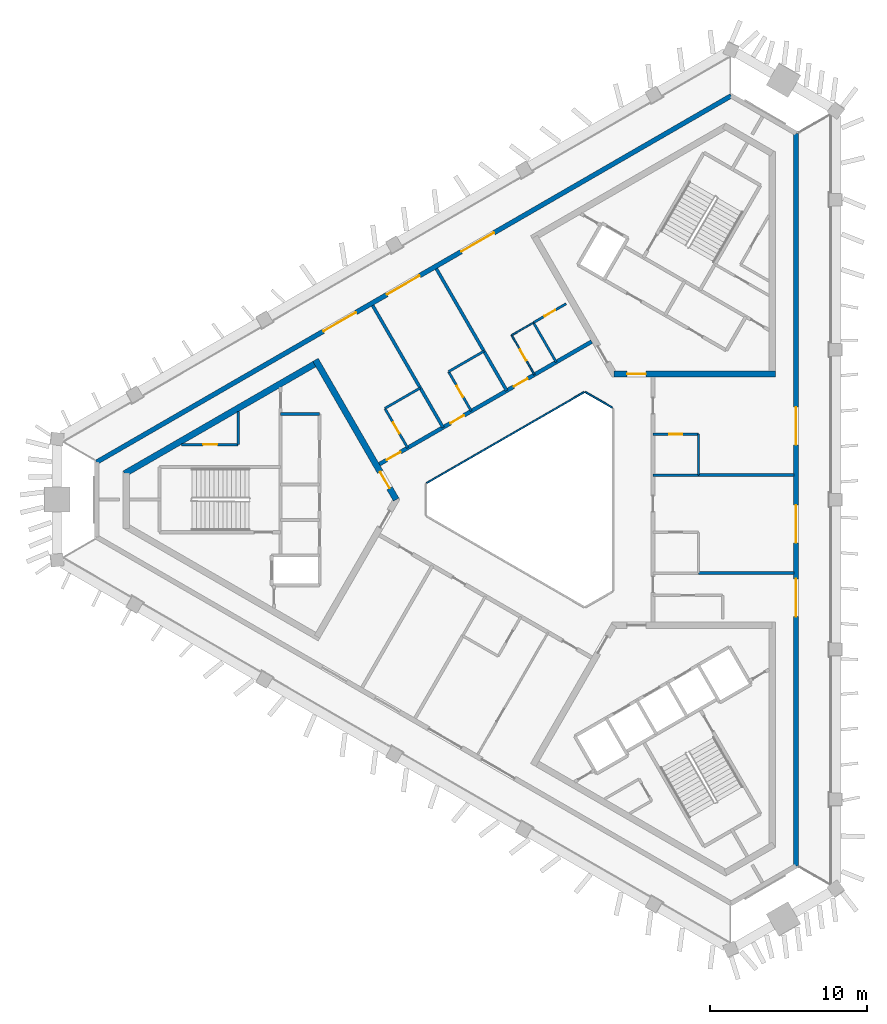
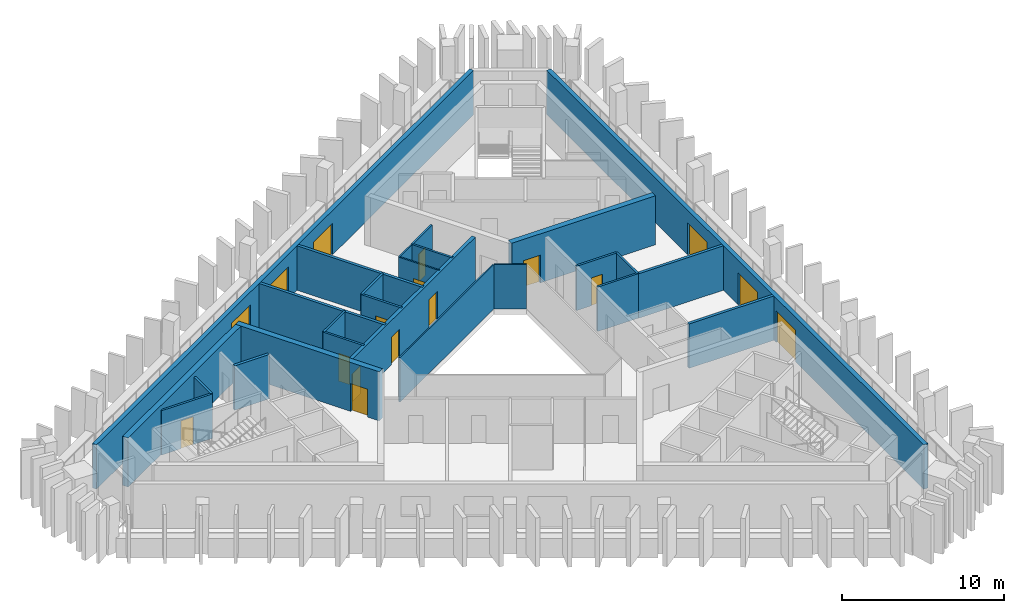
# One storey, part 4 of 8: 26 walls, 17 doors, 17 openings.
"""IFC4 building model written with IfcOpenShell, lengths in metres."""

import ifcopenshell
import ifcopenshell.guid

model = None  # the IFC model being written
_history = None  # IfcOwnerHistory: only IFC2X3 demands one
_inside = {}  # id of a spatial element -> (the spatial element, [elements in it])
_under = {}  # id of a project, library or spatial element -> (it, [spatial elements below it])
_declared = {}  # id of a project -> (the project, [libraries it declares])
_typed = {}  # id of a type object -> (the type object, [elements of that type])
_made_of = {}  # id of a material, layer set ... -> (it, [elements and type objects made of it])


def new_model(schema):
    """Start an empty IFC model of exactly this schema.

    Asked for "IFC4X3", IfcOpenShell would pick the latest addendum, in which some entities
    have other attributes; the version numbers below select the first issue.
    IFC2X3 requires an IfcOwnerHistory on every rooted entity: one is made here for all.
    """
    global model, _history
    if schema == "IFC4X3":
        model = ifcopenshell.file(schema_version=(4, 3, 0, 0))
    else:
        model = ifcopenshell.file(schema=schema)
    _inside.clear()
    _under.clear()
    _declared.clear()
    _typed.clear()
    _made_of.clear()
    _history = None
    if model.schema == "IFC2X3":
        org = make("IfcOrganization", Name="unknown")
        user = make(
            "IfcPersonAndOrganization",
            ThePerson=make("IfcPerson", FamilyName="unknown"),
            TheOrganization=org,
        )
        app = make(
            "IfcApplication",
            ApplicationDeveloper=org,
            Version="unknown",
            ApplicationFullName="unknown",
            ApplicationIdentifier="unknown",
        )
        _history = make(
            "IfcOwnerHistory",
            OwningUser=user,
            OwningApplication=app,
            ChangeAction="ADDED",
            CreationDate=0,
        )
    return model


def make(cls, **values):
    """One entity of the class cls with the attributes given. An attribute that is None is left unset."""
    return model.create_entity(
        cls, **{name: value for name, value in values.items() if value is not None}
    )


def rooted(cls, **values):
    """An entity with a GlobalId (a new one), such as an element, a storey or a relation."""
    return make(cls, GlobalId=ifcopenshell.guid.new(), OwnerHistory=_history, **values)


def si_unit(unit_type, name, prefix=None):
    """IfcSIUnit, for example si_unit("LENGTHUNIT", "METRE", prefix="MILLI")."""
    return make("IfcSIUnit", UnitType=unit_type, Prefix=prefix, Name=name)


def assignment(units):
    """IfcUnitAssignment: the units of a project."""
    return None if units is None else make("IfcUnitAssignment", Units=units)


def point(xyz):
    """IfcCartesianPoint."""
    return None if xyz is None else make("IfcCartesianPoint", Coordinates=xyz)


def direction(xyz):
    """IfcDirection."""
    return None if xyz is None else make("IfcDirection", DirectionRatios=xyz)


def frame(location, z_axis=None, x_axis=None):
    """IfcAxis2Placement3D, a coordinate frame: its origin and axes. An axis left out is left unset."""
    return make(
        "IfcAxis2Placement3D",
        Location=point(location),
        Axis=direction(z_axis),
        RefDirection=direction(x_axis),
    )


def frame_2d(location, x_axis=None):
    """IfcAxis2Placement2D, a coordinate frame in the plane: its origin and x axis."""
    return make(
        "IfcAxis2Placement2D", Location=point(location), RefDirection=direction(x_axis)
    )


def origin():
    """The frame at (0, 0, 0) with its axes left unset."""
    return frame((0.0, 0.0, 0.0))


def place(relative_to, where):
    """IfcLocalPlacement: puts the frame where relative to a parent placement (None: the world)."""
    return make(
        "IfcLocalPlacement", PlacementRelTo=relative_to, RelativePlacement=where
    )


def context(
    kind, dimensions, precision=None, world=None, true_north=None, identifier=None
):
    """IfcGeometricRepresentationContext, for example the 3D "Model" context."""
    return make(
        "IfcGeometricRepresentationContext",
        ContextIdentifier=identifier,
        ContextType=kind,
        CoordinateSpaceDimension=dimensions,
        Precision=precision,
        WorldCoordinateSystem=world,
        TrueNorth=true_north,
    )


def subcontext(parent, identifier, kind, view, scale=None):
    """IfcGeometricRepresentationSubContext, for example "Body" below "Model"."""
    return make(
        "IfcGeometricRepresentationSubContext",
        ContextIdentifier=identifier,
        ContextType=kind,
        ParentContext=parent,
        TargetScale=scale,
        TargetView=view,
    )


def project(units=None, contexts=None):
    """IfcProject with its units and contexts."""
    return rooted(
        "IfcProject",
        Name="project",
        RepresentationContexts=contexts,
        UnitsInContext=assignment(units),
    )


def spatial(cls, under=None, at=None, **own):
    """A site, building, storey or space (cls), placed at a placement, below another one or the project."""
    s = rooted(cls, ObjectPlacement=at, **own)
    if under is not None:
        _under.setdefault(under.id(), (under, []))[1].append(s)
    return s


def profile(cls, at=None, kind="AREA", **sizes):
    """A parametric profile (cls). Its sizes go by their IFC names, for example OverallWidth=200.0."""
    return make(cls, ProfileType=kind, Position=at, **sizes)


def rectangle(**sizes):
    """IfcRectangleProfileDef."""
    return profile("IfcRectangleProfileDef", **sizes)


def extrude(swept, where, along, depth):
    """IfcExtrudedAreaSolid: the profile swept, set in the frame where, extruded along a direction by depth."""
    return make(
        "IfcExtrudedAreaSolid",
        SweptArea=swept,
        Position=where,
        ExtrudedDirection=direction(along),
        Depth=depth,
    )


def shape(context_of_items, identifier, shape_type, items):
    """IfcShapeRepresentation: the items that make up one representation, for example the "Body"."""
    return make(
        "IfcShapeRepresentation",
        ContextOfItems=context_of_items,
        RepresentationIdentifier=identifier,
        RepresentationType=shape_type,
        Items=items,
    )


def material(Name=None, Category=None):
    """IfcMaterial."""
    return make("IfcMaterial", Name=Name, Category=Category)


def layer(
    of_material, thickness, ventilated=None, Name=None, Category=None, Priority=None
):
    """IfcMaterialLayer: one layer of a wall or slab, of a material (None: an air gap)."""
    return make(
        "IfcMaterialLayer",
        Material=of_material,
        LayerThickness=thickness,
        IsVentilated=ventilated,
        Name=Name,
        Category=Category,
        Priority=Priority,
    )


def layer_set(layers, Name=None):
    """IfcMaterialLayerSet."""
    return make("IfcMaterialLayerSet", MaterialLayers=layers, LayerSetName=Name)


def made_of(thing, what):
    """Note that an element or type object is made of a material, layer set ...; save() writes the relation."""
    if what is not None:
        _made_of.setdefault(what.id(), (what, []))[1].append(thing)
    return thing


def type_object(cls, material=None, **own):
    """A type object (cls), such as IfcWallType, which elements share."""
    return made_of(rooted(cls, **own), material)


def element(
    cls,
    number,
    at=None,
    inside=None,
    cuts=None,
    type_object=None,
    material=None,
    context=None,
    identifier="Body",
    shape_type=None,
    held_by="IfcProductDefinitionShape",
    body=None,
    shapes=None,
    **own,
):
    """One element of the class cls, such as IfcWall. Its Tag is "e" and its number.

    at: its placement. inside: the storey or other place that contains it. cuts: it is an
    opening in that element (IfcRelVoidsElement). A single representation is given by context,
    identifier, shape_type and body (its items); several are given by shapes. held_by: the class
    of the entity that holds the representations. save() writes the other relations.
    """
    e = rooted(cls, Tag="e%d" % number, ObjectPlacement=at, **own)
    if body is not None:
        shapes = [shape(context, identifier, shape_type, body)]
    if shapes is not None:
        e.Representation = make(held_by, Representations=shapes)
    if inside is not None:
        _inside.setdefault(inside.id(), (inside, []))[1].append(e)
    if cuts is not None:
        rooted(
            "IfcRelVoidsElement", RelatingBuildingElement=cuts, RelatedOpeningElement=e
        )
    if type_object is not None:
        _typed.setdefault(type_object.id(), (type_object, []))[1].append(e)
    return made_of(e, material)


def fill(opening, filler):
    """IfcRelFillsElement: the door or window that sits in an opening."""
    return rooted(
        "IfcRelFillsElement",
        RelatingOpeningElement=opening,
        RelatedBuildingElement=filler,
    )


def aggregate(whole, parts):
    """IfcRelAggregates: a whole, such as a stair, and the parts it consists of."""
    return rooted("IfcRelAggregates", RelatingObject=whole, RelatedObjects=parts)


def save(model, path):
    """Write the relations noted so far, then the file.

    IfcRelAggregates (storeys below a building ...), IfcRelContainedInSpatialStructure (elements
    in a storey), IfcRelDefinesByType, IfcRelAssociatesMaterial and IfcRelDeclares: one each for
    every whole, place, type object, material and project.
    """
    for whole, parts in _under.values():
        aggregate(whole, parts)
    for where, things in _inside.values():
        rooted(
            "IfcRelContainedInSpatialStructure",
            RelatedElements=things,
            RelatingStructure=where,
        )
    for kind, things in _typed.values():
        rooted("IfcRelDefinesByType", RelatedObjects=things, RelatingType=kind)
    for what, things in _made_of.values():
        rooted("IfcRelAssociatesMaterial", RelatedObjects=things, RelatingMaterial=what)
    for by, libraries in _declared.values():
        rooted("IfcRelDeclares", RelatingContext=by, RelatedDefinitions=libraries)
    model.write(path)


model = new_model("IFC4")

# Units and contexts
model_context = context("Model", 3, precision=1e-05, world=origin(), true_north=direction((0.0, 1.0)))
body_context = subcontext(model_context, "Body", "Model", "MODEL_VIEW")
ifc_project = project(units=[si_unit("LENGTHUNIT", "METRE"), si_unit("AREAUNIT", "SQUARE_METRE"), si_unit("VOLUMEUNIT", "CUBIC_METRE"), si_unit("PLANEANGLEUNIT", "RADIAN"), si_unit("MASSUNIT", "GRAM", prefix="KILO")], contexts=[model_context])

# Site, building, storey
site_placement = place(None, origin())
site = spatial("IfcSite", under=ifc_project, at=site_placement, CompositionType="ELEMENT")
building_placement = place(site_placement, origin())
building = spatial("IfcBuilding", under=site, at=building_placement, Name="Jabali Bay Hotel Tower and Convention Centre", CompositionType="ELEMENT")
storey_placement = place(building_placement, frame((0.0, 0.0, 292.300048828125)))
storey = spatial("IfcBuildingStorey", under=building, at=storey_placement, Name="L72", CompositionType="ELEMENT", Elevation=292.300048828125)

# Walls
ifc_material_1 = material(Name="Fire-resistant glazing", Category="glass")
ifc_layer_1 = layer(ifc_material_1, 0.10009765625)
ifc_layer_set_1 = layer_set([ifc_layer_1], Name="Fire-resistant glazing")
wall_type_1 = type_object("IfcWallType", Name="Atrium glazed screen 100", PredefinedType="PARTITIONING", material=ifc_layer_set_1)
wall_1_placement = place(storey_placement, frame((79.530029296875, 85.84619140625, 0.0), z_axis=(0.0, 0.0, 1.0), x_axis=(-0.866041268327, 0.499972520799, 0.0)))
element("IfcWall", 1, at=wall_1_placement, inside=storey, type_object=wall_type_1, Name="Atrium screen 2 L72", PredefinedType="PARTITIONING", context=body_context, shape_type="SweptSolid", body=[
    extrude(rectangle(XDim=2.0, YDim=0.10009765625, at=frame_2d((1.0, 0.0))), origin(), (0.0, 0.0, 1.0), 3.349853515625),
])
wall_2_placement = place(storey_placement, frame((77.738037109375, 86.84619140625, 0.0), z_axis=(0.0, 0.0, 1.0), x_axis=(-0.866026658274, -0.499997827154, 0.0)))
element("IfcWall", 2, at=wall_2_placement, inside=storey, type_object=wall_type_1, Name="Atrium screen 3 L72", PredefinedType="PARTITIONING", context=body_context, shape_type="SweptSolid", body=[
    extrude(rectangle(XDim=11.58837890625, YDim=0.10009765625, at=frame_2d((5.794189453125, 0.0))), origin(), (0.0, 0.0, 1.0), 3.349853515625),
])

# Wall, opening, door
ifc_material_2 = material(Name="Fire-rated board partition")
ifc_layer_2 = layer(ifc_material_2, 0.14990234375)
ifc_layer_set_2 = layer_set([ifc_layer_2], Name="Fire-rated board partition")
wall_type_2 = type_object("IfcWallType", Name="Core room partition 150", PredefinedType="PARTITIONING", material=ifc_layer_set_2)
wall_3_placement = place(storey_placement, frame((55.719970703125, 83.5, 0.0), z_axis=(0.0, 0.0, 1.0), x_axis=(-1.0, 0.0, 0.0)))
wall_3 = element("IfcWall", 3, at=wall_3_placement, inside=storey, type_object=wall_type_2, Name="Core wall 0.1 L72", PredefinedType="PARTITIONING", context=body_context, shape_type="SweptSolid", body=[
    extrude(rectangle(XDim=3.61767578125, YDim=0.14990234375, at=frame_2d((1.808837890625, 0.0))), origin(), (0.0, 0.0, 1.0), 3.349853515625),
])
opening_1_placement = place(wall_3_placement, frame((1.33154296875, 0.0, 0.0)))
opening_1 = element("IfcOpeningElement", 4, at=opening_1_placement, cuts=wall_3, Name="Opening D1597", PredefinedType="OPENING", context=body_context, shape_type="SweptSolid", body=[
    extrude(rectangle(XDim=0.89990234375, YDim=2.10009765625, at=frame_2d((0.449951171875, 1.050048828125))), frame((0.0, 0.08544921875, 0.0), z_axis=(0.0, -1.0, 0.0), x_axis=(1.0, 0.0, 0.0)), (0.0, 0.0, 1.0), 0.1708984375),
])
ifc_material_3 = material(Name="Fire-rated steel door", Category="steel")
door_type_1 = type_object("IfcDoorType", Name="Core room door 900 x 2100", OperationType="NOTDEFINED", PredefinedType="NOTDEFINED", material=ifc_material_3)
door_1_placement = place(opening_1_placement, origin())
door_1 = element("IfcDoor", 5, at=door_1_placement, inside=storey, type_object=door_type_1, Name="Core room door D1597", OperationType="SINGLE_SWING_LEFT", OverallHeight=2.10009765625, OverallWidth=0.89990234375, PredefinedType="NOTDEFINED", context=body_context, shape_type="SweptSolid", body=[
    extrude(rectangle(XDim=0.89990234375, YDim=2.10009765625, at=frame_2d((0.449951171875, 1.050048828125))), frame((0.0, 0.02490234375, 0.0), z_axis=(0.0, -1.0, 0.0), x_axis=(1.0, 0.0, 0.0)), (0.0, 0.0, 1.0), 0.050048828125),
])
fill(opening_1, door_1)

# Walls
wall_4_placement = place(storey_placement, frame((55.719970703125, 85.5888671875, 0.0), z_axis=(0.0, 0.0, 1.0), x_axis=(0.0, -1.0, 0.0)))
element("IfcWall", 6, at=wall_4_placement, inside=storey, type_object=wall_type_2, Name="Core wall 0.13 L72", PredefinedType="PARTITIONING", context=body_context, shape_type="SweptSolid", body=[
    extrude(rectangle(XDim=2.0888671875, YDim=0.14990234375, at=frame_2d((1.04443359375, 0.0))), origin(), (0.0, 0.0, 1.0), 3.349853515625),
])
ifc_material_4 = material(Name="Concrete C40", Category="concrete")
ifc_layer_3 = layer(ifc_material_4, 0.199951171875)
ifc_layer_set_3 = layer_set([ifc_layer_3], Name="Concrete C40")
wall_type_3 = type_object("IfcWallType", Name="Core stair wall 200", PredefinedType="SOLIDWALL", material=ifc_layer_set_3)
wall_5_placement = place(storey_placement, frame((60.89990234375, 85.449951171875, 0.0), z_axis=(0.0, 0.0, 1.0), x_axis=(-1.0, 0.0, 0.0)))
element("IfcWall", 7, at=wall_5_placement, inside=storey, type_object=wall_type_3, Name="Core wall 0.0 L72", PredefinedType="SOLIDWALL", context=body_context, shape_type="SweptSolid", body=[
    extrude(rectangle(XDim=2.47998046875, YDim=0.199951171875, at=frame_2d((1.239990234375, 0.0))), origin(), (0.0, 0.0, 1.0), 3.349853515625),
])

# Wall, opening, door
ifc_material_5 = material(Name="Concrete C60", Category="concrete")
ifc_layer_4 = layer(ifc_material_5, 0.39990234375)
ifc_layer_set_4 = layer_set([ifc_layer_4], Name="Concrete C60")
wall_type_4 = type_object("IfcWallType", Name="Core wall 400", PredefinedType="SHEAR", material=ifc_layer_set_4)
wall_6_placement = place(storey_placement, frame((65.76904296875, 80.0, 0.0), z_axis=(0.0, 0.0, 1.0), x_axis=(-0.50000177223, 0.866024380585, 0.0)))
wall_6 = element("IfcWall", 8, at=wall_6_placement, inside=storey, type_object=wall_type_4, Name="Core wall 1.1 L72", PredefinedType="SHEAR", context=body_context, shape_type="SweptSolid", body=[
    extrude(rectangle(XDim=10.2646484375, YDim=0.39990234375, at=frame_2d((5.13232421875, 0.0))), origin(), (0.0, 0.0, 1.0), 3.699951171875),
])
opening_2_placement = place(wall_6_placement, frame((0.83447265625, 0.0, 0.0)))
opening_2 = element("IfcOpeningElement", 9, at=opening_2_placement, cuts=wall_6, Name="Opening D1589", PredefinedType="OPENING", context=body_context, shape_type="SweptSolid", body=[
    extrude(rectangle(XDim=1.199951171875, YDim=2.10009765625, at=frame_2d((0.60009765625, 1.050048828125))), frame((0.0, 0.21044921875, 0.0), z_axis=(0.0, -1.0, 0.0), x_axis=(1.0, 0.0, 0.0)), (0.0, 0.0, 1.0), 0.4208984375),
])
door_type_2 = type_object("IfcDoorType", Name="Corridor end fire door 1200 x 2100", OperationType="NOTDEFINED", PredefinedType="NOTDEFINED", material=ifc_material_3)
door_2_placement = place(opening_2_placement, origin())
door_2 = element("IfcDoor", 10, at=door_2_placement, inside=storey, type_object=door_type_2, Name="Corridor end fire door D1589", OperationType="SINGLE_SWING_RIGHT", OverallHeight=2.10009765625, OverallWidth=1.199951171875, PredefinedType="NOTDEFINED", context=body_context, shape_type="SweptSolid", body=[
    extrude(rectangle(XDim=1.199951171875, YDim=2.10009765625, at=frame_2d((0.60009765625, 1.050048828125))), frame((0.0, 0.02490234375, 0.0), z_axis=(0.0, -1.0, 0.0), x_axis=(1.0, 0.0, 0.0)), (0.0, 0.0, 1.0), 0.050048828125),
])
fill(opening_2, door_2)

# Wall
wall_7_placement = place(storey_placement, frame((60.73681640625, 88.716064453125, 0.0), z_axis=(0.0, 0.0, 1.0), x_axis=(-0.866028812667, -0.499994095595, 0.0)))
element("IfcWall", 11, at=wall_7_placement, inside=storey, type_object=wall_type_4, Name="Core wall 1.2 L72", PredefinedType="SHEAR", context=body_context, shape_type="SweptSolid", body=[
    extrude(rectangle(XDim=14.133544921875, YDim=0.39990234375, at=frame_2d((7.06689453125, 0.0))), origin(), (0.0, 0.0, 1.0), 3.699951171875),
])

# Wall, opening, door
wall_8_placement = place(storey_placement, frame((79.615478515625, 87.994140625, 0.0), z_axis=(0.0, 0.0, 1.0), x_axis=(1.0, 0.0, 0.0)))
wall_8 = element("IfcWall", 12, at=wall_8_placement, inside=storey, type_object=wall_type_4, Name="Core wall 2.1 L72", PredefinedType="SHEAR", context=body_context, shape_type="SweptSolid", body=[
    extrude(rectangle(XDim=10.264404296875, YDim=0.39990234375, at=frame_2d((5.13232421875, 0.0))), origin(), (0.0, 0.0, 1.0), 3.699951171875),
])
opening_3_placement = place(wall_8_placement, frame((0.83447265625, 0.0, 0.0)))
opening_3 = element("IfcOpeningElement", 13, at=opening_3_placement, cuts=wall_8, Name="Opening D1598", PredefinedType="OPENING", context=body_context, shape_type="SweptSolid", body=[
    extrude(rectangle(XDim=1.199951171875, YDim=2.10009765625, at=frame_2d((0.60009765625, 1.050048828125))), frame((0.0, 0.21044921875, 0.0), z_axis=(0.0, -1.0, 0.0), x_axis=(1.0, 0.0, 0.0)), (0.0, 0.0, 1.0), 0.4208984375),
])
door_3_placement = place(opening_3_placement, origin())
door_3 = element("IfcDoor", 14, at=door_3_placement, inside=storey, type_object=door_type_2, Name="Corridor end fire door D1598", OperationType="SINGLE_SWING_RIGHT", OverallHeight=2.10009765625, OverallWidth=1.199951171875, PredefinedType="NOTDEFINED", context=body_context, shape_type="SweptSolid", body=[
    extrude(rectangle(XDim=1.199951171875, YDim=2.10009765625, at=frame_2d((0.60009765625, 1.050048828125))), frame((0.0, 0.02490234375, 0.0), z_axis=(0.0, -1.0, 0.0), x_axis=(1.0, 0.0, 0.0)), (0.0, 0.0, 1.0), 0.050048828125),
])
fill(opening_3, door_3)

# Wall, openings, doors
ifc_layer_5 = layer(ifc_material_5, 0.25)
ifc_layer_set_5 = layer_set([ifc_layer_5], Name="Concrete C60")
wall_type_5 = type_object("IfcWallType", Name="Corridor wall 250", PredefinedType="SHEAR", material=ifc_layer_set_5)
wall_9_placement = place(storey_placement, frame((78.199951171875, 90.0458984375, 0.0), z_axis=(0.0, 0.0, 1.0), x_axis=(-0.866026492143, -0.499998114903, 0.0)))
wall_9 = element("IfcWall", 15, at=wall_9_placement, inside=storey, type_object=wall_type_5, Name="Corridor wall 2 L72", PredefinedType="SHEAR", context=body_context, shape_type="SweptSolid", body=[
    extrude(rectangle(XDim=15.58837890625, YDim=0.25, at=frame_2d((7.794189453125, 0.0))), origin(), (0.0, 0.0, 1.0), 3.349853515625),
])
opening_4_placement = place(wall_9_placement, frame((4.7177734375, 0.0, 0.0)))
opening_4 = element("IfcOpeningElement", 16, at=opening_4_placement, cuts=wall_9, Name="Opening 7209", PredefinedType="OPENING", context=body_context, shape_type="SweptSolid", body=[
    extrude(rectangle(XDim=1.0, YDim=2.10009765625, at=frame_2d((0.5, 1.050048828125))), frame((0.0, 0.135498046875, 0.0), z_axis=(0.0, -1.0, 0.0), x_axis=(1.0, 0.0, 0.0)), (0.0, 0.0, 1.0), 0.27099609375),
])
opening_5_placement = place(wall_9_placement, frame((9.373779296875, 0.0, 0.0)))
opening_5 = element("IfcOpeningElement", 17, at=opening_5_placement, cuts=wall_9, Name="Opening 7211", PredefinedType="OPENING", context=body_context, shape_type="SweptSolid", body=[
    extrude(rectangle(XDim=1.0, YDim=2.10009765625, at=frame_2d((0.5, 1.050048828125))), frame((0.0, 0.135498046875, 0.0), z_axis=(0.0, -1.0, 0.0), x_axis=(1.0, 0.0, 0.0)), (0.0, 0.0, 1.0), 0.27099609375),
])
opening_6_placement = place(wall_9_placement, frame((14.05029296875, 0.0, 0.0)))
opening_6 = element("IfcOpeningElement", 18, at=opening_6_placement, cuts=wall_9, Name="Opening 7213", PredefinedType="OPENING", context=body_context, shape_type="SweptSolid", body=[
    extrude(rectangle(XDim=1.0, YDim=2.10009765625, at=frame_2d((0.5, 1.050048828125))), frame((0.0, 0.135498046875, 0.0), z_axis=(0.0, -1.0, 0.0), x_axis=(1.0, 0.0, 0.0)), (0.0, 0.0, 1.0), 0.27099609375),
])
ifc_material_6 = material(Name="Timber", Category="wood")
door_type_3 = type_object("IfcDoorType", Name="Guest room door 1000 x 2100", OperationType="NOTDEFINED", PredefinedType="NOTDEFINED", material=ifc_material_6)
door_4_placement = place(opening_4_placement, origin())
door_4 = element("IfcDoor", 19, at=door_4_placement, inside=storey, type_object=door_type_3, Name="Door 7209", OperationType="SINGLE_SWING_LEFT", OverallHeight=2.10009765625, OverallWidth=1.0, PredefinedType="NOTDEFINED", context=body_context, shape_type="SweptSolid", body=[
    extrude(rectangle(XDim=1.0, YDim=2.10009765625, at=frame_2d((0.5, 1.050048828125))), frame((0.0, 0.02490234375, 0.0), z_axis=(0.0, -1.0, 0.0), x_axis=(1.0, 0.0, 0.0)), (0.0, 0.0, 1.0), 0.050048828125),
])
fill(opening_4, door_4)
door_5_placement = place(opening_5_placement, origin())
door_5 = element("IfcDoor", 20, at=door_5_placement, inside=storey, type_object=door_type_3, Name="Door 7211", OperationType="SINGLE_SWING_RIGHT", OverallHeight=2.10009765625, OverallWidth=1.0, PredefinedType="NOTDEFINED", context=body_context, shape_type="SweptSolid", body=[
    extrude(rectangle(XDim=1.0, YDim=2.10009765625, at=frame_2d((0.5, 1.050048828125))), frame((0.0, 0.02490234375, 0.0), z_axis=(0.0, -1.0, 0.0), x_axis=(1.0, 0.0, 0.0)), (0.0, 0.0, 1.0), 0.050048828125),
])
fill(opening_5, door_5)
door_6_placement = place(opening_6_placement, origin())
door_6 = element("IfcDoor", 21, at=door_6_placement, inside=storey, type_object=door_type_3, Name="Door 7213", OperationType="SINGLE_SWING_RIGHT", OverallHeight=2.10009765625, OverallWidth=1.0, PredefinedType="NOTDEFINED", context=body_context, shape_type="SweptSolid", body=[
    extrude(rectangle(XDim=1.0, YDim=2.10009765625, at=frame_2d((0.5, 1.050048828125))), frame((0.0, 0.02490234375, 0.0), z_axis=(0.0, -1.0, 0.0), x_axis=(1.0, 0.0, 0.0)), (0.0, 0.0, 1.0), 0.050048828125),
])
fill(opening_6, door_6)

ifc_layer_6 = layer(ifc_material_4, 0.300048828125)
ifc_layer_set_6 = layer_set([ifc_layer_6], Name="Concrete C40")
wall_type_6 = type_object("IfcWallType", Name="External wall 300", PredefinedType="SOLIDWALL", material=ifc_layer_set_6)
wall_10_placement = place(storey_placement, frame((91.204345703125, 103.30029296875, 0.0), z_axis=(0.0, 0.0, 1.0), x_axis=(0.0, -1.0, 0.0)))
wall_10 = element("IfcWall", 22, at=wall_10_placement, inside=storey, type_object=wall_type_6, Name="External wall east face L72", PredefinedType="SOLIDWALL", context=body_context, shape_type="SweptSolid", body=[
    extrude(rectangle(XDim=46.6005859375, YDim=0.300048828125, at=frame_2d((23.30029296875, 0.0))), origin(), (0.0, 0.0, 1.0), 3.349853515625),
])
opening_7_placement = place(wall_10_placement, frame((17.423828125, 0.0, 0.0)))
opening_7 = element("IfcOpeningElement", 23, at=opening_7_placement, cuts=wall_10, Name="Opening SD1", PredefinedType="OPENING", context=body_context, shape_type="SweptSolid", body=[
    extrude(rectangle(XDim=2.39990234375, YDim=2.39990234375, at=frame_2d((1.199951171875, 1.199951171875))), frame((0.0, 0.16064453125, 0.0), z_axis=(0.0, -1.0, 0.0), x_axis=(1.0, 0.0, 0.0)), (0.0, 0.0, 1.0), 0.321044921875),
])
opening_8_placement = place(wall_10_placement, frame((28.335693359375, 0.0, 0.0)))
opening_8 = element("IfcOpeningElement", 24, at=opening_8_placement, cuts=wall_10, Name="Opening SD1", PredefinedType="OPENING", context=body_context, shape_type="SweptSolid", body=[
    extrude(rectangle(XDim=2.39990234375, YDim=2.39990234375, at=frame_2d((1.199951171875, 1.199951171875))), frame((0.0, 0.16064453125, 0.0), z_axis=(0.0, -1.0, 0.0), x_axis=(1.0, 0.0, 0.0)), (0.0, 0.0, 1.0), 0.321044921875),
])
opening_9_placement = place(wall_10_placement, frame((23.6591796875, 0.0, 0.0)))
opening_9 = element("IfcOpeningElement", 25, at=opening_9_placement, cuts=wall_10, Name="Opening SD1", PredefinedType="OPENING", context=body_context, shape_type="SweptSolid", body=[
    extrude(rectangle(XDim=2.39990234375, YDim=2.39990234375, at=frame_2d((1.199951171875, 1.199951171875))), frame((0.0, 0.16064453125, 0.0), z_axis=(0.0, -1.0, 0.0), x_axis=(1.0, 0.0, 0.0)), (0.0, 0.0, 1.0), 0.321044921875),
])
ifc_material_7 = material(Name="Glass", Category="glass")
door_type_4 = type_object("IfcDoorType", Name="Loggia sliding door 2400 x 2400", OperationType="NOTDEFINED", PredefinedType="NOTDEFINED", material=ifc_material_7)
door_7_placement = place(opening_7_placement, origin())
door_7 = element("IfcDoor", 26, at=door_7_placement, inside=storey, type_object=door_type_4, Name="Loggia sliding door 7203", OperationType="SLIDING_TO_LEFT", OverallHeight=2.39990234375, OverallWidth=2.39990234375, PredefinedType="NOTDEFINED", context=body_context, shape_type="SweptSolid", body=[
    extrude(rectangle(XDim=2.39990234375, YDim=2.39990234375, at=frame_2d((1.199951171875, 1.199951171875))), frame((0.0, 0.02490234375, 0.0), z_axis=(0.0, -1.0, 0.0), x_axis=(1.0, 0.0, 0.0)), (0.0, 0.0, 1.0), 0.050048828125),
])
fill(opening_7, door_7)
door_8_placement = place(opening_8_placement, origin())
door_8 = element("IfcDoor", 27, at=door_8_placement, inside=storey, type_object=door_type_4, Name="Loggia sliding door 7201", OperationType="SLIDING_TO_RIGHT", OverallHeight=2.39990234375, OverallWidth=2.39990234375, PredefinedType="NOTDEFINED", context=body_context, shape_type="SweptSolid", body=[
    extrude(rectangle(XDim=2.39990234375, YDim=2.39990234375, at=frame_2d((1.199951171875, 1.199951171875))), frame((0.0, 0.02490234375, 0.0), z_axis=(0.0, -1.0, 0.0), x_axis=(1.0, 0.0, 0.0)), (0.0, 0.0, 1.0), 0.050048828125),
])
fill(opening_8, door_8)
door_9_placement = place(opening_9_placement, origin())
door_9 = element("IfcDoor", 28, at=door_9_placement, inside=storey, type_object=door_type_4, Name="Loggia sliding door 7202", OperationType="SLIDING_TO_LEFT", OverallHeight=2.39990234375, OverallWidth=2.39990234375, PredefinedType="NOTDEFINED", context=body_context, shape_type="SweptSolid", body=[
    extrude(rectangle(XDim=2.39990234375, YDim=2.39990234375, at=frame_2d((1.199951171875, 1.199951171875))), frame((0.0, 0.02490234375, 0.0), z_axis=(0.0, -1.0, 0.0), x_axis=(1.0, 0.0, 0.0)), (0.0, 0.0, 1.0), 0.050048828125),
])
fill(opening_9, door_9)

wall_11_placement = place(storey_placement, frame((46.718994140625, 82.38330078125, 0.0), z_axis=(0.0, 0.0, 1.0), x_axis=(0.866026104534, 0.499998786264, 0.0)))
wall_11 = element("IfcWall", 29, at=wall_11_placement, inside=storey, type_object=wall_type_6, Name="External wall north-west face L72", PredefinedType="SOLIDWALL", context=body_context, shape_type="SweptSolid", body=[
    extrude(rectangle(XDim=46.6005859375, YDim=0.300048828125, at=frame_2d((23.30029296875, 0.0))), origin(), (0.0, 0.0, 1.0), 3.349853515625),
])
opening_10_placement = place(wall_11_placement, frame((16.644287109375, 0.0, 0.0)))
opening_10 = element("IfcOpeningElement", 30, at=opening_10_placement, cuts=wall_11, Name="Opening SD1", PredefinedType="OPENING", context=body_context, shape_type="SweptSolid", body=[
    extrude(rectangle(XDim=2.39990234375, YDim=2.39990234375, at=frame_2d((1.199951171875, 1.199951171875))), frame((0.0, 0.16064453125, 0.0), z_axis=(0.0, -1.0, 0.0), x_axis=(1.0, 0.0, 0.0)), (0.0, 0.0, 1.0), 0.321044921875),
])
opening_11_placement = place(wall_11_placement, frame((26.77685546875, 0.0, 0.0)))
opening_11 = element("IfcOpeningElement", 31, at=opening_11_placement, cuts=wall_11, Name="Opening SD1", PredefinedType="OPENING", context=body_context, shape_type="SweptSolid", body=[
    extrude(rectangle(XDim=2.39990234375, YDim=2.39990234375, at=frame_2d((1.199951171875, 1.199951171875))), frame((0.0, 0.16064453125, 0.0), z_axis=(0.0, -1.0, 0.0), x_axis=(1.0, 0.0, 0.0)), (0.0, 0.0, 1.0), 0.321044921875),
])
opening_12_placement = place(wall_11_placement, frame((21.321044921875, 0.0, 0.0)))
opening_12 = element("IfcOpeningElement", 32, at=opening_12_placement, cuts=wall_11, Name="Opening SD1", PredefinedType="OPENING", context=body_context, shape_type="SweptSolid", body=[
    extrude(rectangle(XDim=2.39990234375, YDim=2.39990234375, at=frame_2d((1.199951171875, 1.199951171875))), frame((0.0, 0.16064453125, 0.0), z_axis=(0.0, -1.0, 0.0), x_axis=(1.0, 0.0, 0.0)), (0.0, 0.0, 1.0), 0.321044921875),
])
door_10_placement = place(opening_10_placement, origin())
door_10 = element("IfcDoor", 33, at=door_10_placement, inside=storey, type_object=door_type_4, Name="Loggia sliding door 7206", OperationType="SLIDING_TO_LEFT", OverallHeight=2.39990234375, OverallWidth=2.39990234375, PredefinedType="NOTDEFINED", context=body_context, shape_type="SweptSolid", body=[
    extrude(rectangle(XDim=2.39990234375, YDim=2.39990234375, at=frame_2d((1.199951171875, 1.199951171875))), frame((0.0, 0.02490234375, 0.0), z_axis=(0.0, -1.0, 0.0), x_axis=(1.0, 0.0, 0.0)), (0.0, 0.0, 1.0), 0.050048828125),
])
fill(opening_10, door_10)
door_11_placement = place(opening_11_placement, origin())
door_11 = element("IfcDoor", 34, at=door_11_placement, inside=storey, type_object=door_type_4, Name="Loggia sliding door 7204", OperationType="SLIDING_TO_RIGHT", OverallHeight=2.39990234375, OverallWidth=2.39990234375, PredefinedType="NOTDEFINED", context=body_context, shape_type="SweptSolid", body=[
    extrude(rectangle(XDim=2.39990234375, YDim=2.39990234375, at=frame_2d((1.199951171875, 1.199951171875))), frame((0.0, 0.02490234375, 0.0), z_axis=(0.0, -1.0, 0.0), x_axis=(1.0, 0.0, 0.0)), (0.0, 0.0, 1.0), 0.050048828125),
])
fill(opening_11, door_11)
door_12_placement = place(opening_12_placement, origin())
door_12 = element("IfcDoor", 35, at=door_12_placement, inside=storey, type_object=door_type_4, Name="Loggia sliding door 7205", OperationType="SLIDING_TO_LEFT", OverallHeight=2.39990234375, OverallWidth=2.39990234375, PredefinedType="NOTDEFINED", context=body_context, shape_type="SweptSolid", body=[
    extrude(rectangle(XDim=2.39990234375, YDim=2.39990234375, at=frame_2d((1.199951171875, 1.199951171875))), frame((0.0, 0.02490234375, 0.0), z_axis=(0.0, -1.0, 0.0), x_axis=(1.0, 0.0, 0.0)), (0.0, 0.0, 1.0), 0.050048828125),
])
fill(opening_12, door_12)

# Wall, opening, door
ifc_material_8 = material(Name="Plasterboard on steel stud", Category="steel")
ifc_layer_7 = layer(ifc_material_8, 0.10009765625)
ifc_layer_set_7 = layer_set([ifc_layer_7], Name="Plasterboard on steel stud")
wall_type_7 = type_object("IfcWallType", Name="Partition 100 unit", PredefinedType="PARTITIONING", material=ifc_layer_set_7)
wall_12_placement = place(storey_placement, frame((74.562744140625, 87.94580078125, 0.0), z_axis=(0.0, 0.0, 1.0), x_axis=(-0.499987231761, 0.866032775405, 0.0)))
wall_12 = element("IfcWall", 36, at=wall_12_placement, inside=storey, type_object=wall_type_7, Name="Partition P02 L72 014", PredefinedType="PARTITIONING", context=body_context, shape_type="SweptSolid", body=[
    extrude(rectangle(XDim=2.89990234375, YDim=0.10009765625, at=frame_2d((1.449951171875, 0.0))), origin(), (0.0, 0.0, 1.0), 3.349853515625),
])
opening_13_placement = place(wall_12_placement, frame((1.050048828125, 0.0, 0.0)))
opening_13 = element("IfcOpeningElement", 37, at=opening_13_placement, cuts=wall_12, Name="Opening 7208", PredefinedType="OPENING", context=body_context, shape_type="SweptSolid", body=[
    extrude(rectangle(XDim=0.800048828125, YDim=2.10009765625, at=frame_2d((0.39990234375, 1.050048828125))), frame((0.0, 0.060546875, 0.0), z_axis=(0.0, -1.0, 0.0), x_axis=(1.0, 0.0, 0.0)), (0.0, 0.0, 1.0), 0.12109375),
])
door_type_5 = type_object("IfcDoorType", Name="Dressing room door 800 x 2100", OperationType="NOTDEFINED", PredefinedType="NOTDEFINED", material=ifc_material_6)
door_13_placement = place(opening_13_placement, origin())
door_13 = element("IfcDoor", 38, at=door_13_placement, inside=storey, type_object=door_type_5, Name="Door 7208", OperationType="SINGLE_SWING_RIGHT", OverallHeight=2.10009765625, OverallWidth=0.800048828125, PredefinedType="NOTDEFINED", context=body_context, shape_type="SweptSolid", body=[
    extrude(rectangle(XDim=0.800048828125, YDim=2.10009765625, at=frame_2d((0.39990234375, 1.050048828125))), frame((0.0, 0.02490234375, 0.0), z_axis=(0.0, -1.0, 0.0), x_axis=(1.0, 0.0, 0.0)), (0.0, 0.0, 1.0), 0.050048828125),
])
fill(opening_13, door_13)

# Walls
wall_13_placement = place(storey_placement, frame((73.11279296875, 90.457275390625, 0.0), z_axis=(0.0, 0.0, 1.0), x_axis=(0.865989903783, 0.500061482766, 0.0)))
element("IfcWall", 39, at=wall_13_placement, inside=storey, type_object=wall_type_7, Name="Partition P02 L72 015", PredefinedType="PARTITIONING", context=body_context, shape_type="SweptSolid", body=[
    extrude(rectangle(XDim=1.599853515625, YDim=0.10009765625, at=frame_2d((0.7998046875, 0.0))), origin(), (0.0, 0.0, 1.0), 3.349853515625),
])
ifc_layer_8 = layer(ifc_material_8, 0.14990234375)
ifc_layer_set_8 = layer_set([ifc_layer_8], Name="Plasterboard on steel stud")
wall_type_8 = type_object("IfcWallType", Name="Partition 150 wet", PredefinedType="PARTITIONING", material=ifc_layer_set_8)
wall_14_placement = place(storey_placement, frame((85.0, 81.558837890625, 0.0), z_axis=(0.0, 0.0, 1.0), x_axis=(-1.0, 0.0, 0.0)))
element("IfcWall", 40, at=wall_14_placement, inside=storey, type_object=wall_type_8, Name="Partition P03 L72 009", PredefinedType="PARTITIONING", context=body_context, shape_type="SweptSolid", body=[
    extrude(rectangle(XDim=2.89990234375, YDim=0.14990234375, at=frame_2d((1.449951171875, 0.0))), origin(), (0.0, 0.0, 1.0), 3.349853515625),
])

# Wall, opening, door
wall_15_placement = place(storey_placement, frame((82.10009765625, 84.158935546875, 0.0), z_axis=(0.0, 0.0, 1.0), x_axis=(1.0, 0.0, 0.0)))
wall_15 = element("IfcWall", 41, at=wall_15_placement, inside=storey, type_object=wall_type_8, Name="Partition P03 L72 010", PredefinedType="PARTITIONING", context=body_context, shape_type="SweptSolid", body=[
    extrude(rectangle(XDim=2.89990234375, YDim=0.14990234375, at=frame_2d((1.449951171875, 0.0))), origin(), (0.0, 0.0, 1.0), 3.349853515625),
])
opening_14_placement = place(wall_15_placement, frame((1.050048828125, 0.0, 0.0)))
opening_14 = element("IfcOpeningElement", 42, at=opening_14_placement, cuts=wall_15, Name="Opening 7205", PredefinedType="OPENING", context=body_context, shape_type="SweptSolid", body=[
    extrude(rectangle(XDim=0.800048828125, YDim=2.10009765625, at=frame_2d((0.39990234375, 1.050048828125))), frame((0.0, 0.08544921875, 0.0), z_axis=(0.0, -1.0, 0.0), x_axis=(1.0, 0.0, 0.0)), (0.0, 0.0, 1.0), 0.1708984375),
])
door_type_6 = type_object("IfcDoorType", Name="En-suite door 800 x 2100", OperationType="NOTDEFINED", PredefinedType="NOTDEFINED", material=ifc_material_6)
door_14_placement = place(opening_14_placement, origin())
door_14 = element("IfcDoor", 43, at=door_14_placement, inside=storey, type_object=door_type_6, Name="Door 7205", OperationType="SINGLE_SWING_RIGHT", OverallHeight=2.10009765625, OverallWidth=0.800048828125, PredefinedType="NOTDEFINED", context=body_context, shape_type="SweptSolid", body=[
    extrude(rectangle(XDim=0.800048828125, YDim=2.10009765625, at=frame_2d((0.39990234375, 1.050048828125))), frame((0.0, 0.02490234375, 0.0), z_axis=(0.0, -1.0, 0.0), x_axis=(1.0, 0.0, 0.0)), (0.0, 0.0, 1.0), 0.050048828125),
])
fill(opening_14, door_14)

# Wall
wall_16_placement = place(storey_placement, frame((85.0, 84.158935546875, 0.0), z_axis=(0.0, 0.0, 1.0), x_axis=(0.0, -1.0, 0.0)))
element("IfcWall", 44, at=wall_16_placement, inside=storey, type_object=wall_type_8, Name="Partition P03 L72 011", PredefinedType="PARTITIONING", context=body_context, shape_type="SweptSolid", body=[
    extrude(rectangle(XDim=2.60009765625, YDim=0.14990234375, at=frame_2d((1.300048828125, 0.0))), origin(), (0.0, 0.0, 1.0), 3.349853515625),
])

# Wall, opening, door
wall_17_placement = place(storey_placement, frame((74.498291015625, 91.25732421875, 0.0), z_axis=(0.0, 0.0, 1.0), x_axis=(0.866038271014, 0.499977712642, 0.0)))
wall_17 = element("IfcWall", 45, at=wall_17_placement, inside=storey, type_object=wall_type_8, Name="Partition P03 L72 013", PredefinedType="PARTITIONING", context=body_context, shape_type="SweptSolid", body=[
    extrude(rectangle(XDim=2.40087890625, YDim=0.14990234375, at=frame_2d((1.200439453125, 0.0))), origin(), (0.0, 0.0, 1.0), 3.349853515625),
])
opening_15_placement = place(wall_17_placement, frame((0.801025390625, 0.0, 0.0)))
opening_15 = element("IfcOpeningElement", 46, at=opening_15_placement, cuts=wall_17, Name="Opening 7207", PredefinedType="OPENING", context=body_context, shape_type="SweptSolid", body=[
    extrude(rectangle(XDim=0.800048828125, YDim=2.10009765625, at=frame_2d((0.39990234375, 1.050048828125))), frame((0.0, 0.08544921875, 0.0), z_axis=(0.0, -1.0, 0.0), x_axis=(1.0, 0.0, 0.0)), (0.0, 0.0, 1.0), 0.1708984375),
])
door_15_placement = place(opening_15_placement, origin())
door_15 = element("IfcDoor", 47, at=door_15_placement, inside=storey, type_object=door_type_6, Name="Door 7207", OperationType="SINGLE_SWING_LEFT", OverallHeight=2.10009765625, OverallWidth=0.800048828125, PredefinedType="NOTDEFINED", context=body_context, shape_type="SweptSolid", body=[
    extrude(rectangle(XDim=0.800048828125, YDim=2.10009765625, at=frame_2d((0.39990234375, 1.050048828125))), frame((0.0, 0.02490234375, 0.0), z_axis=(0.0, -1.0, 0.0), x_axis=(1.0, 0.0, 0.0)), (0.0, 0.0, 1.0), 0.050048828125),
])
fill(opening_15, door_15)

# Wall
wall_18_placement = place(storey_placement, frame((74.498291015625, 91.25732421875, 0.0), z_axis=(0.0, 0.0, 1.0), x_axis=(0.499987231761, -0.866032775405, 0.0)))
element("IfcWall", 48, at=wall_18_placement, inside=storey, type_object=wall_type_8, Name="Partition P03 L72 017", PredefinedType="PARTITIONING", context=body_context, shape_type="SweptSolid", body=[
    extrude(rectangle(XDim=2.89990234375, YDim=0.14990234375, at=frame_2d((1.449951171875, 0.0))), origin(), (0.0, 0.0, 1.0), 3.349853515625),
])

# Wall, opening, door
wall_19_placement = place(storey_placement, frame((70.54833984375, 85.628173828125, 0.0), z_axis=(0.0, 0.0, 1.0), x_axis=(-0.499987231761, 0.866032775405, 0.0)))
wall_19 = element("IfcWall", 49, at=wall_19_placement, inside=storey, type_object=wall_type_8, Name="Partition P03 L72 018", PredefinedType="PARTITIONING", context=body_context, shape_type="SweptSolid", body=[
    extrude(rectangle(XDim=2.89990234375, YDim=0.14990234375, at=frame_2d((1.449951171875, 0.0))), origin(), (0.0, 0.0, 1.0), 3.349853515625),
])
opening_16_placement = place(wall_19_placement, frame((1.050048828125, 0.0, 0.0)))
opening_16 = element("IfcOpeningElement", 50, at=opening_16_placement, cuts=wall_19, Name="Opening 7210", PredefinedType="OPENING", context=body_context, shape_type="SweptSolid", body=[
    extrude(rectangle(XDim=0.800048828125, YDim=2.10009765625, at=frame_2d((0.39990234375, 1.050048828125))), frame((0.0, 0.08544921875, 0.0), z_axis=(0.0, -1.0, 0.0), x_axis=(1.0, 0.0, 0.0)), (0.0, 0.0, 1.0), 0.1708984375),
])
door_16_placement = place(opening_16_placement, origin())
door_16 = element("IfcDoor", 51, at=door_16_placement, inside=storey, type_object=door_type_6, Name="Door 7210", OperationType="SINGLE_SWING_RIGHT", OverallHeight=2.10009765625, OverallWidth=0.800048828125, PredefinedType="NOTDEFINED", context=body_context, shape_type="SweptSolid", body=[
    extrude(rectangle(XDim=0.800048828125, YDim=2.10009765625, at=frame_2d((0.39990234375, 1.050048828125))), frame((0.0, 0.02490234375, 0.0), z_axis=(0.0, -1.0, 0.0), x_axis=(1.0, 0.0, 0.0)), (0.0, 0.0, 1.0), 0.050048828125),
])
fill(opening_16, door_16)

# Wall
wall_20_placement = place(storey_placement, frame((69.098388671875, 88.1396484375, 0.0), z_axis=(0.0, 0.0, 1.0), x_axis=(0.866021400173, 0.500006934395, 0.0)))
element("IfcWall", 52, at=wall_20_placement, inside=storey, type_object=wall_type_8, Name="Partition P03 L72 019", PredefinedType="PARTITIONING", context=body_context, shape_type="SweptSolid", body=[
    extrude(rectangle(XDim=2.60009765625, YDim=0.14990234375, at=frame_2d((1.300048828125, 0.0))), origin(), (0.0, 0.0, 1.0), 3.349853515625),
])

# Wall, opening, door
wall_21_placement = place(storey_placement, frame((66.498291015625, 83.2900390625, 0.0), z_axis=(0.0, 0.0, 1.0), x_axis=(-0.499987231761, 0.866032775405, 0.0)))
wall_21 = element("IfcWall", 53, at=wall_21_placement, inside=storey, type_object=wall_type_8, Name="Partition P03 L72 021", PredefinedType="PARTITIONING", context=body_context, shape_type="SweptSolid", body=[
    extrude(rectangle(XDim=2.89990234375, YDim=0.14990234375, at=frame_2d((1.449951171875, 0.0))), origin(), (0.0, 0.0, 1.0), 3.349853515625),
])
opening_17_placement = place(wall_21_placement, frame((1.050048828125, 0.0, 0.0)))
opening_17 = element("IfcOpeningElement", 54, at=opening_17_placement, cuts=wall_21, Name="Opening 7212", PredefinedType="OPENING", context=body_context, shape_type="SweptSolid", body=[
    extrude(rectangle(XDim=0.800048828125, YDim=2.10009765625, at=frame_2d((0.39990234375, 1.050048828125))), frame((0.0, 0.08544921875, 0.0), z_axis=(0.0, -1.0, 0.0), x_axis=(1.0, 0.0, 0.0)), (0.0, 0.0, 1.0), 0.1708984375),
])
door_17_placement = place(opening_17_placement, origin())
door_17 = element("IfcDoor", 55, at=door_17_placement, inside=storey, type_object=door_type_6, Name="Door 7212", OperationType="SINGLE_SWING_LEFT", OverallHeight=2.10009765625, OverallWidth=0.800048828125, PredefinedType="NOTDEFINED", context=body_context, shape_type="SweptSolid", body=[
    extrude(rectangle(XDim=0.800048828125, YDim=2.10009765625, at=frame_2d((0.39990234375, 1.050048828125))), frame((0.0, 0.02490234375, 0.0), z_axis=(0.0, -1.0, 0.0), x_axis=(1.0, 0.0, 0.0)), (0.0, 0.0, 1.0), 0.050048828125),
])
fill(opening_17, door_17)

# Walls
wall_22_placement = place(storey_placement, frame((65.04833984375, 85.801513671875, 0.0), z_axis=(0.0, 0.0, 1.0), x_axis=(0.866062058628, 0.499936506574, 0.0)))
element("IfcWall", 56, at=wall_22_placement, inside=storey, type_object=wall_type_8, Name="Partition P03 L72 022", PredefinedType="PARTITIONING", context=body_context, shape_type="SweptSolid", body=[
    extrude(rectangle(XDim=2.599853515625, YDim=0.14990234375, at=frame_2d((1.2998046875, 0.0))), origin(), (0.0, 0.0, 1.0), 3.349853515625),
])
ifc_layer_9 = layer(ifc_material_8, 0.199951171875)
ifc_layer_set_9 = layer_set([ifc_layer_9], Name="Plasterboard on steel stud")
wall_type_9 = type_object("IfcWallType", Name="Partition 200 party", PredefinedType="PARTITIONING", material=ifc_layer_set_9)
for number, where, z_axis, x_axis, name in (
    (57, (91.055419921875, 75.323486328125, 0.0), (0.0, 0.0, 1.0), (-1.0, 0.0, 0.0), "Partition P01 L72 003"),
    (58, (91.055419921875, 81.558837890625, 0.0), (0.0, 0.0, 1.0), (-1.0, 0.0, 0.0), "Partition P01 L72 008"),
):
    element("IfcWall", number, at=place(storey_placement, frame(where, z_axis=z_axis, x_axis=x_axis)), inside=storey, type_object=wall_type_9, Name=name, PredefinedType="PARTITIONING", context=body_context, shape_type="SweptSolid", body=[
        extrude(rectangle(XDim=6.055419921875, YDim=0.199951171875, at=frame_2d((3.02783203125, 0.0))), origin(), (0.0, 0.0, 1.0), 3.349853515625),
    ])
for number, where, z_axis, x_axis, name in (
    (59, (68.322265625, 94.683837890625, 0.0), (0.0, 0.0, 1.0), (0.500006420084, -0.866021697116, 0.0), "Partition P01 L72 016"),
    (60, (64.272216796875, 92.345458984375, 0.0), (0.0, 0.0, 1.0), (0.500006420084, -0.866021697116, 0.0), "Partition P01 L72 020"),
):
    element("IfcWall", number, at=place(storey_placement, frame(where, z_axis=z_axis, x_axis=x_axis)), inside=storey, type_object=wall_type_9, Name=name, PredefinedType="PARTITIONING", context=body_context, shape_type="SweptSolid", body=[
        extrude(rectangle(XDim=8.95556640625, YDim=0.199951171875, at=frame_2d((4.477783203125, 0.0))), origin(), (0.0, 0.0, 1.0), 3.349853515625),
    ])

save(model, "model.ifc")
